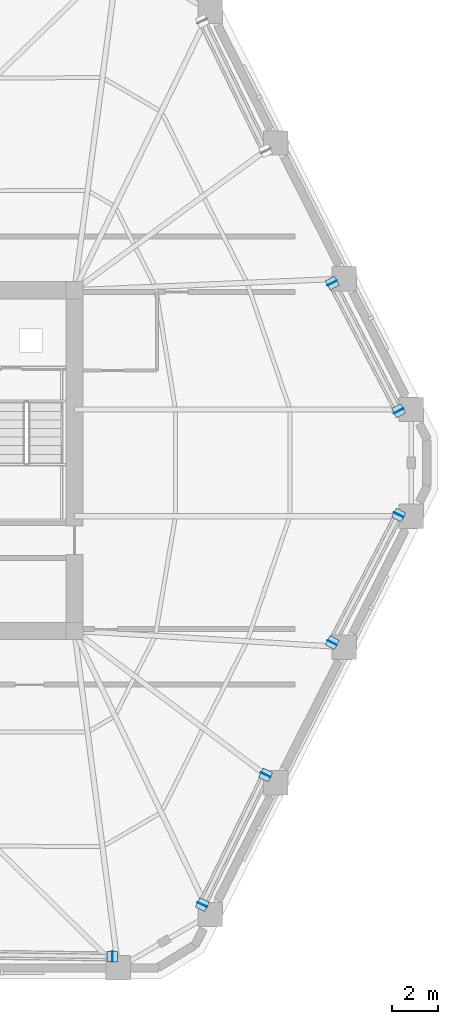
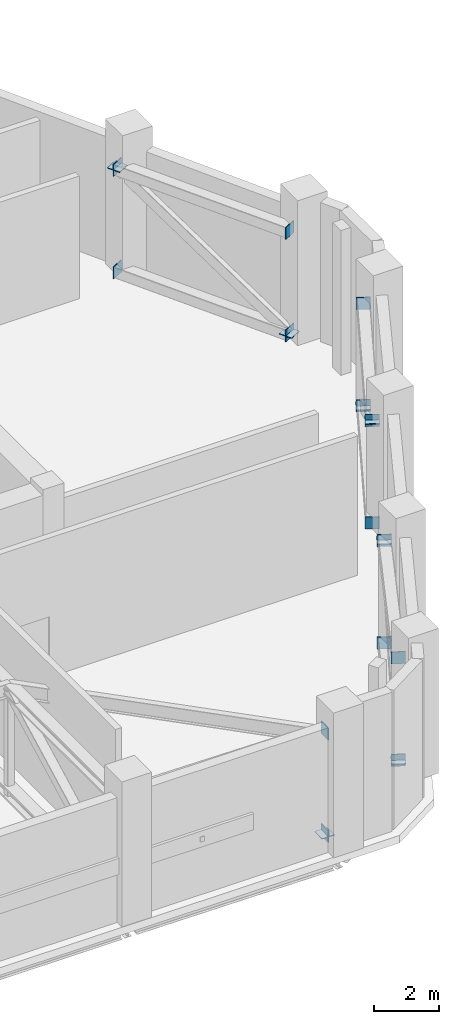
# One storey, part 8 of 15: 21 plates.
"""IFC4 building model written with IfcOpenShell, lengths in metres."""

from ifc_helpers import new_model, si_unit, direction, frame, origin, origin_2d, place, context, subcontext, project, spatial, rectangle, extrude, material, layer, layer_set, type_object, element, save


model = new_model("IFC4")

# Units and contexts
model_context = context("Model", 3, precision=1e-05, world=origin(), true_north=direction((0.0, 1.0)))
body_context = subcontext(model_context, "Body", "Model", "MODEL_VIEW")
ifc_project = project(units=[si_unit("LENGTHUNIT", "METRE"), si_unit("AREAUNIT", "SQUARE_METRE"), si_unit("VOLUMEUNIT", "CUBIC_METRE"), si_unit("PLANEANGLEUNIT", "RADIAN"), si_unit("MASSUNIT", "GRAM", prefix="KILO")], contexts=[model_context])

# Site, building, storey
site_placement = place(None, origin())
site = spatial("IfcSite", under=ifc_project, at=site_placement, CompositionType="ELEMENT")
building_placement = place(site_placement, origin())
building = spatial("IfcBuilding", under=site, at=building_placement, Name="Cinnabar Lancet Tower", CompositionType="ELEMENT")
storey_placement = place(building_placement, frame((0.0, 0.0, 148.10009765625)))
storey = spatial("IfcBuildingStorey", under=building, at=storey_placement, Name="L39", CompositionType="ELEMENT", Elevation=148.10009765625)

# Plates
ifc_material = material(Name="Structural steel S460", Category="steel")
ifc_layer = layer(ifc_material, 0.030029296875)
ifc_layer_set = layer_set([ifc_layer], Name="Structural steel S460")
plate_type = type_object("IfcPlateType", Name="STR-PL-CAP-25", PredefinedType="SHEET", material=ifc_layer_set)
for number, where, z_axis, x_axis, name in (
    (1, (43.425048828125, 4.427978515625, -0.0048828125), (0.0, 0.0, 1.0), (0.999894062633, -0.014555531948, 0.0), "Hollow section end cap plate CP-BTC-L39-1-3-BC1"),
    (2, (43.425048828125, 4.427978515625, 3.81494140625), (0.0, 0.0, 1.0), (0.999894062633, -0.014555531948, 0.0), "Hollow section end cap plate CP-BTC-L39-1-3-TC1"),
):
    element("IfcPlate", number, at=place(storey_placement, frame(where, z_axis=z_axis, x_axis=x_axis)), inside=storey, type_object=plate_type, Name=name, PredefinedType="SHEET", context=body_context, shape_type="SweptSolid", body=[
        extrude(rectangle(XDim=0.030029296875, YDim=0.449951171875, at=origin_2d()), origin(), (0.0, 0.0, 1.0), 0.449951171875),
    ])
plate_placement = place(storey_placement, frame((43.4169921875, 4.427978515625, 0.19482421875), z_axis=(0.0, 0.0, 1.0), x_axis=(0.999894062633, -0.014555531948, 0.0)))
element("IfcPlate", 3, at=plate_placement, inside=storey, type_object=plate_type, Name="Hollow section end cap plate CP-BTD-L39-1-3-1", PredefinedType="SHEET", context=body_context, shape_type="SweptSolid", body=[
    extrude(rectangle(XDim=0.449951171875, YDim=0.449951171875, at=origin_2d()), origin(), (0.0, 0.0, 1.0), 0.030029296875),
])
for number, where, z_axis, x_axis, name in (
    (4, (47.306884765625, 6.673095703125, -0.0048828125), (0.0, 0.0, 1.0), (-0.439061241737, -0.898457136431, 0.0), "Hollow section end cap plate CP-BTC-L39-2-1-BC0"),
    (5, (50.055908203125, 12.2958984375, -0.0048828125), (0.0, 0.0, 1.0), (0.439061241737, 0.898457136431, 0.0), "Hollow section end cap plate CP-BTC-L39-2-1-BC1"),
    (6, (47.306884765625, 6.673095703125, 3.81494140625), (0.0, 0.0, 1.0), (-0.439061241737, -0.898457136431, 0.0), "Hollow section end cap plate CP-BTC-L39-2-1-TC0"),
    (7, (50.055908203125, 12.2958984375, 3.81494140625), (0.0, 0.0, 1.0), (0.439061241737, 0.898457136431, 0.0), "Hollow section end cap plate CP-BTC-L39-2-1-TC1"),
):
    element("IfcPlate", number, at=place(storey_placement, frame(where, z_axis=z_axis, x_axis=x_axis)), inside=storey, type_object=plate_type, Name=name, PredefinedType="SHEET", context=body_context, shape_type="SweptSolid", body=[
        extrude(rectangle(XDim=0.030029296875, YDim=0.449951171875, at=origin_2d()), origin(), (0.0, 0.0, 1.0), 0.449951171875),
    ])
for number, where, z_axis, x_axis, name in (
    (8, (47.31103515625, 6.679931640625, 0.19482421875), (0.0, 0.0, 1.0), (-0.439061241737, -0.898457136431, 0.0), "Hollow section end cap plate CP-BTD-L39-2-1-0"),
    (9, (50.052001953125, 12.2890625, 4.03466796875), (0.0, 0.0, 1.0), (0.439061241737, 0.898457136431, 0.0), "Hollow section end cap plate CP-BTD-L39-2-1-1"),
):
    element("IfcPlate", number, at=place(storey_placement, frame(where, z_axis=z_axis, x_axis=x_axis)), inside=storey, type_object=plate_type, Name=name, PredefinedType="SHEET", context=body_context, shape_type="SweptSolid", body=[
        extrude(rectangle(XDim=0.449951171875, YDim=0.449951171875, at=origin_2d()), origin(), (0.0, 0.0, 1.0), 0.030029296875),
    ])
for number, where, z_axis, x_axis, name in (
    (10, (52.93408203125, 18.011962890625, -0.0048828125), (0.0, 0.0, 1.0), (-0.461222169142, -0.88728468413, 0.0), "Hollow section end cap plate CP-BTC-L39-2-3-BC0"),
    (11, (55.81396484375, 23.551025390625, -0.0048828125), (0.0, 0.0, 1.0), (0.461222169142, 0.88728468413, 0.0), "Hollow section end cap plate CP-BTC-L39-2-3-BC1"),
    (12, (52.93408203125, 18.011962890625, 3.81494140625), (0.0, 0.0, 1.0), (-0.461222169142, -0.88728468413, 0.0), "Hollow section end cap plate CP-BTC-L39-2-3-TC0"),
    (13, (55.81396484375, 23.551025390625, 3.81494140625), (0.0, 0.0, 1.0), (0.461222169142, 0.88728468413, 0.0), "Hollow section end cap plate CP-BTC-L39-2-3-TC1"),
):
    element("IfcPlate", number, at=place(storey_placement, frame(where, z_axis=z_axis, x_axis=x_axis)), inside=storey, type_object=plate_type, Name=name, PredefinedType="SHEET", context=body_context, shape_type="SweptSolid", body=[
        extrude(rectangle(XDim=0.030029296875, YDim=0.449951171875, at=origin_2d()), origin(), (0.0, 0.0, 1.0), 0.449951171875),
    ])
for number, where, z_axis, x_axis, name in (
    (14, (52.93798828125, 18.01904296875, 4.03466796875), (0.0, 0.0, 1.0), (-0.461222169142, -0.88728468413, 0.0), "Hollow section end cap plate CP-BTD-L39-2-3-0"),
    (15, (55.81005859375, 23.5439453125, 0.19482421875), (0.0, 0.0, 1.0), (0.461222169142, 0.88728468413, 0.0), "Hollow section end cap plate CP-BTD-L39-2-3-1"),
):
    element("IfcPlate", number, at=place(storey_placement, frame(where, z_axis=z_axis, x_axis=x_axis)), inside=storey, type_object=plate_type, Name=name, PredefinedType="SHEET", context=body_context, shape_type="SweptSolid", body=[
        extrude(rectangle(XDim=0.449951171875, YDim=0.449951171875, at=origin_2d()), origin(), (0.0, 0.0, 1.0), 0.030029296875),
    ])
for number, where, z_axis, x_axis, name in (
    (16, (55.81396484375, 28.049072265625, -0.0048828125), (0.0, 0.0, 1.0), (0.461222169142, -0.88728468413, 0.0), "Hollow section end cap plate CP-BTC-L39-3-1-BC0"),
    (17, (52.93408203125, 33.587890625, -0.0048828125), (0.0, 0.0, 1.0), (-0.461222169142, 0.88728468413, 0.0), "Hollow section end cap plate CP-BTC-L39-3-1-BC1"),
    (18, (55.81396484375, 28.049072265625, 3.81494140625), (0.0, 0.0, 1.0), (0.461222169142, -0.88728468413, 0.0), "Hollow section end cap plate CP-BTC-L39-3-1-TC0"),
    (19, (52.93408203125, 33.587890625, 3.81494140625), (0.0, 0.0, 1.0), (-0.461222169142, 0.88728468413, 0.0), "Hollow section end cap plate CP-BTC-L39-3-1-TC1"),
):
    element("IfcPlate", number, at=place(storey_placement, frame(where, z_axis=z_axis, x_axis=x_axis)), inside=storey, type_object=plate_type, Name=name, PredefinedType="SHEET", context=body_context, shape_type="SweptSolid", body=[
        extrude(rectangle(XDim=0.030029296875, YDim=0.449951171875, at=origin_2d()), origin(), (0.0, 0.0, 1.0), 0.449951171875),
    ])
for number, where, z_axis, x_axis, name in (
    (20, (55.81005859375, 28.055908203125, 0.19482421875), (0.0, 0.0, 1.0), (0.461222169142, -0.88728468413, 0.0), "Hollow section end cap plate CP-BTD-L39-3-1-0"),
    (21, (52.93798828125, 33.5810546875, 4.03466796875), (0.0, 0.0, 1.0), (-0.461222169142, 0.88728468413, 0.0), "Hollow section end cap plate CP-BTD-L39-3-1-1"),
):
    element("IfcPlate", number, at=place(storey_placement, frame(where, z_axis=z_axis, x_axis=x_axis)), inside=storey, type_object=plate_type, Name=name, PredefinedType="SHEET", context=body_context, shape_type="SweptSolid", body=[
        extrude(rectangle(XDim=0.449951171875, YDim=0.449951171875, at=origin_2d()), origin(), (0.0, 0.0, 1.0), 0.030029296875),
    ])

save(model, "model.ifc")
